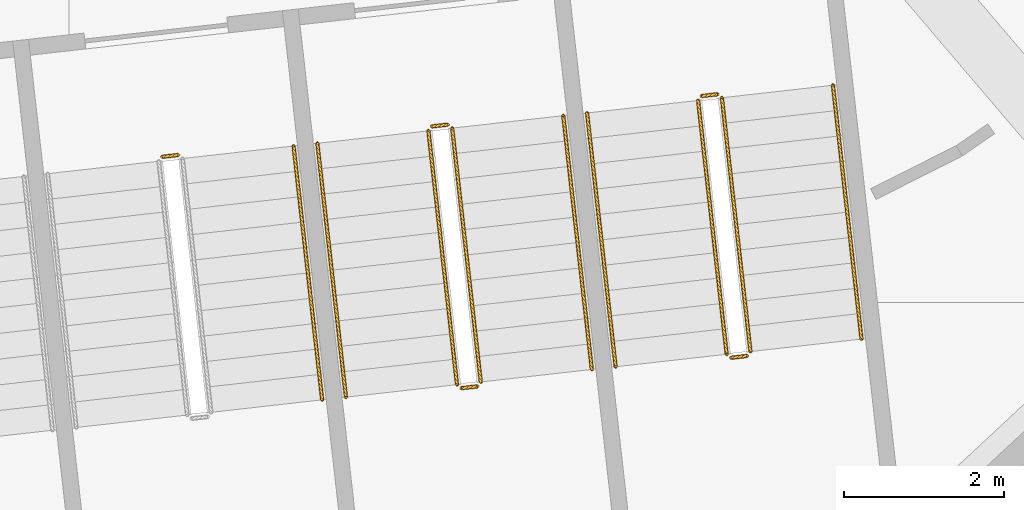
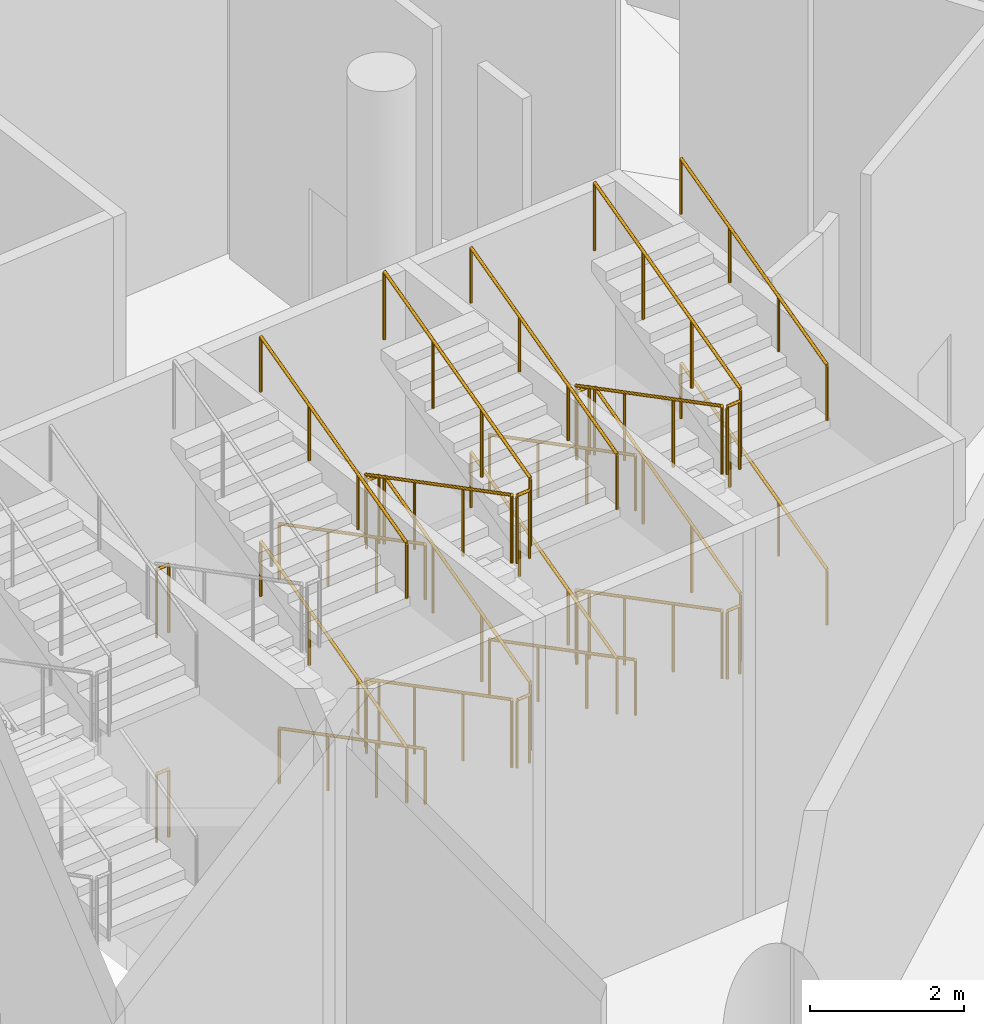
# One storey, part 206 of 255: 28 railings.
"""IFC4 building model written with IfcOpenShell, lengths in metres."""

from ifc_helpers import new_model, si_unit, direction, frame, origin, origin_2d, place, context, subcontext, project, spatial, circle, extrude, material, type_object, element, save


model = new_model("IFC4")

# Units and contexts
model_context = context("Model", 3, precision=1e-05, world=origin(), true_north=direction((0.0, 1.0)))
body_context = subcontext(model_context, "Body", "Model", "MODEL_VIEW")
ifc_project = project(units=[si_unit("LENGTHUNIT", "METRE"), si_unit("AREAUNIT", "SQUARE_METRE"), si_unit("VOLUMEUNIT", "CUBIC_METRE"), si_unit("PLANEANGLEUNIT", "RADIAN"), si_unit("MASSUNIT", "GRAM", prefix="KILO")], contexts=[model_context])

# Site, building, storey
site_placement = place(None, origin())
site = spatial("IfcSite", under=ifc_project, at=site_placement, CompositionType="ELEMENT")
building_placement = place(site_placement, origin())
building = spatial("IfcBuilding", under=site, at=building_placement, Name="Meseta Stadium", CompositionType="ELEMENT")
storey_placement = place(building_placement, origin())
storey = spatial("IfcBuildingStorey", under=building, at=storey_placement, Name="L00", CompositionType="ELEMENT", Elevation=0.0)

# Railings
ifc_material_1 = material(Name="Steel S355", Category="steel")
railing_type_1 = type_object("IfcRailingType", Name="Stair guard 1100", PredefinedType="GUARDRAIL", material=ifc_material_1)
for number, where, name in (
    (1, (49.165771484375, -94.17333984375, 3.25), "ST102 L00 guard 4"),
    (2, (49.165771484375, -94.17333984375, 0.0), "ST102 L00 guard 8"),
):
    element("IfcRailing", number, at=place(storey_placement, frame(where)), inside=storey, type_object=railing_type_1, Name=name, PredefinedType="GUARDRAIL", context=body_context, shape_type="SweptSolid", body=[
        extrude(circle(Radius=0.02392578125, at=origin_2d()), frame((0.0, 0.0, 1.076171875), z_axis=(0.993673547442, 0.112307083986, 0.0), x_axis=(-0.112307083986, 0.993673547442, 0.0)), (0.0, 0.0, 1.0), 0.199951171875),
        extrude(circle(Radius=0.02099609375, at=origin_2d()), origin(), (0.0, 0.0, 1.0), 1.052001953125),
        extrude(circle(Radius=0.02099609375, at=origin_2d()), frame((0.19873046875, 0.0224609375, 0.0)), (0.0, 0.0, 1.0), 1.052001953125),
    ])
railing_1_placement = place(storey_placement, frame((52.500244140625, -93.847900390625, 0.147705078125)))
element("IfcRailing", 3, at=railing_1_placement, inside=storey, type_object=railing_type_1, Name="ST103 L00 guard 1", PredefinedType="GUARDRAIL", context=body_context, shape_type="SweptSolid", body=[
    extrude(circle(Radius=0.02392578125, at=origin_2d()), frame((0.0, 0.0, 1.076171875), z_axis=(0.10168481418, -0.902210289302, 0.419138154362), x_axis=(0.993708517288, 0.111997244021, 0.0)), (0.0, 0.0, 1.0), 3.524658203125),
    extrude(circle(Radius=0.02099609375, at=origin_2d()), origin(), (0.0, 0.0, 1.0), 1.052001953125),
    extrude(circle(Radius=0.02099609375, at=origin_2d()), frame((0.119384765625, -1.06005859375, 0.492431640625)), (0.0, 0.0, 1.0), 1.052001953125),
    extrude(circle(Radius=0.02099609375, at=origin_2d()), frame((0.239013671875, -2.119873046875, 0.98486328125)), (0.0, 0.0, 1.0), 1.052001953125),
    extrude(circle(Radius=0.02099609375, at=origin_2d()), frame((0.3583984375, -3.179931640625, 1.477294921875)), (0.0, 0.0, 1.0), 1.052001953125),
])
railing_2_placement = place(storey_placement, frame((52.913818359375, -97.07177734375, 1.625)))
element("IfcRailing", 4, at=railing_2_placement, inside=storey, type_object=railing_type_1, Name="ST103 L00 guard 2", PredefinedType="GUARDRAIL", context=body_context, shape_type="SweptSolid", body=[
    extrude(circle(Radius=0.02392578125, at=origin_2d()), frame((0.0, 0.0, 1.076171875), z_axis=(0.993809063983, 0.111101504696, 0.0), x_axis=(-0.111101504696, 0.993809063983, 0.0)), (0.0, 0.0, 1.0), 0.199951171875),
    extrude(circle(Radius=0.02099609375, at=origin_2d()), origin(), (0.0, 0.0, 1.0), 1.052001953125),
    extrude(circle(Radius=0.02099609375, at=origin_2d()), frame((0.19873046875, 0.022216796875, 0.0)), (0.0, 0.0, 1.0), 1.052001953125),
])
railing_3_placement = place(storey_placement, frame((53.15673828125, -96.994140625, 1.772705078125)))
element("IfcRailing", 5, at=railing_3_placement, inside=storey, type_object=railing_type_1, Name="ST103 L00 guard 3", PredefinedType="GUARDRAIL", context=body_context, shape_type="SweptSolid", body=[
    extrude(circle(Radius=0.02392578125, at=origin_2d()), frame((0.0, 0.0, 1.076171875), z_axis=(-0.10168481418, 0.902210289302, 0.419138154362), x_axis=(-0.993708517288, -0.111997244021, 0.0)), (0.0, 0.0, 1.0), 3.524658203125),
    extrude(circle(Radius=0.02099609375, at=origin_2d()), origin(), (0.0, 0.0, 1.0), 1.052001953125),
    extrude(circle(Radius=0.02099609375, at=origin_2d()), frame((-0.119384765625, 1.06005859375, 0.492431640625)), (0.0, 0.0, 1.0), 1.052001953125),
    extrude(circle(Radius=0.02099609375, at=origin_2d()), frame((-0.239013671875, 2.119873046875, 0.98486328125)), (0.0, 0.0, 1.0), 1.052001953125),
    extrude(circle(Radius=0.02099609375, at=origin_2d()), frame((-0.3583984375, 3.179931640625, 1.477294921875)), (0.0, 0.0, 1.0), 1.052001953125),
])
railing_4_placement = place(storey_placement, frame((52.54443359375, -93.792724609375, 3.25)))
element("IfcRailing", 6, at=railing_4_placement, inside=storey, type_object=railing_type_1, Name="ST103 L00 guard 4", PredefinedType="GUARDRAIL", context=body_context, shape_type="SweptSolid", body=[
    extrude(circle(Radius=0.02392578125, at=origin_2d()), frame((0.0, 0.0, 1.076171875), z_axis=(0.993673547442, 0.112307083986, 0.0), x_axis=(-0.112307083986, 0.993673547442, 0.0)), (0.0, 0.0, 1.0), 0.199951171875),
    extrude(circle(Radius=0.02099609375, at=origin_2d()), origin(), (0.0, 0.0, 1.0), 1.052001953125),
    extrude(circle(Radius=0.02099609375, at=origin_2d()), frame((0.19873046875, 0.0224609375, 0.0)), (0.0, 0.0, 1.0), 1.052001953125),
])
railing_5_placement = place(storey_placement, frame((52.500244140625, -93.847900390625, 3.397705078125)))
element("IfcRailing", 7, at=railing_5_placement, inside=storey, type_object=railing_type_1, Name="ST103 L00 guard 5", PredefinedType="GUARDRAIL", context=body_context, shape_type="SweptSolid", body=[
    extrude(circle(Radius=0.02392578125, at=origin_2d()), frame((0.0, 0.0, 1.076171875), z_axis=(0.10168481418, -0.902210289302, 0.419138154362), x_axis=(0.993708517288, 0.111997244021, 0.0)), (0.0, 0.0, 1.0), 3.524658203125),
    extrude(circle(Radius=0.02099609375, at=origin_2d()), origin(), (0.0, 0.0, 1.0), 1.052001953125),
    extrude(circle(Radius=0.02099609375, at=origin_2d()), frame((0.119384765625, -1.06005859375, 0.492431640625)), (0.0, 0.0, 1.0), 1.052001953125),
    extrude(circle(Radius=0.02099609375, at=origin_2d()), frame((0.239013671875, -2.119873046875, 0.98486328125)), (0.0, 0.0, 1.0), 1.052001953125),
    extrude(circle(Radius=0.02099609375, at=origin_2d()), frame((0.3583984375, -3.179931640625, 1.477294921875)), (0.0, 0.0, 1.0), 1.052001953125),
])
railing_6_placement = place(storey_placement, frame((52.913818359375, -97.07177734375, 4.875)))
element("IfcRailing", 8, at=railing_6_placement, inside=storey, type_object=railing_type_1, Name="ST103 L00 guard 6", PredefinedType="GUARDRAIL", context=body_context, shape_type="SweptSolid", body=[
    extrude(circle(Radius=0.02392578125, at=origin_2d()), frame((0.0, 0.0, 1.076171875), z_axis=(0.993809063983, 0.111101504696, 0.0), x_axis=(-0.111101504696, 0.993809063983, 0.0)), (0.0, 0.0, 1.0), 0.199951171875),
    extrude(circle(Radius=0.02099609375, at=origin_2d()), origin(), (0.0, 0.0, 1.0), 1.052001953125),
    extrude(circle(Radius=0.02099609375, at=origin_2d()), frame((0.19873046875, 0.022216796875, 0.0)), (0.0, 0.0, 1.0), 1.052001953125),
])
railing_7_placement = place(storey_placement, frame((53.15673828125, -96.994140625, 5.022705078125)))
element("IfcRailing", 9, at=railing_7_placement, inside=storey, type_object=railing_type_1, Name="ST103 L00 guard 7", PredefinedType="GUARDRAIL", context=body_context, shape_type="SweptSolid", body=[
    extrude(circle(Radius=0.02392578125, at=origin_2d()), frame((0.0, 0.0, 1.076171875), z_axis=(-0.10168481418, 0.902210289302, 0.419138154362), x_axis=(-0.993708517288, -0.111997244021, 0.0)), (0.0, 0.0, 1.0), 3.524658203125),
    extrude(circle(Radius=0.02099609375, at=origin_2d()), origin(), (0.0, 0.0, 1.0), 1.052001953125),
    extrude(circle(Radius=0.02099609375, at=origin_2d()), frame((-0.119384765625, 1.06005859375, 0.492431640625)), (0.0, 0.0, 1.0), 1.052001953125),
    extrude(circle(Radius=0.02099609375, at=origin_2d()), frame((-0.239013671875, 2.119873046875, 0.98486328125)), (0.0, 0.0, 1.0), 1.052001953125),
    extrude(circle(Radius=0.02099609375, at=origin_2d()), frame((-0.3583984375, 3.179931640625, 1.477294921875)), (0.0, 0.0, 1.0), 1.052001953125),
])
railing_8_placement = place(storey_placement, frame((52.54443359375, -93.792724609375, 0.0)))
element("IfcRailing", 10, at=railing_8_placement, inside=storey, type_object=railing_type_1, Name="ST103 L00 guard 8", PredefinedType="GUARDRAIL", context=body_context, shape_type="SweptSolid", body=[
    extrude(circle(Radius=0.02392578125, at=origin_2d()), frame((0.0, 0.0, 1.076171875), z_axis=(0.993673547442, 0.112307083986, 0.0), x_axis=(-0.112307083986, 0.993673547442, 0.0)), (0.0, 0.0, 1.0), 0.199951171875),
    extrude(circle(Radius=0.02099609375, at=origin_2d()), origin(), (0.0, 0.0, 1.0), 1.052001953125),
    extrude(circle(Radius=0.02099609375, at=origin_2d()), frame((0.19873046875, 0.0224609375, 0.0)), (0.0, 0.0, 1.0), 1.052001953125),
])
railing_9_placement = place(storey_placement, frame((55.87890625, -93.46728515625, 0.147705078125)))
element("IfcRailing", 11, at=railing_9_placement, inside=storey, type_object=railing_type_1, Name="ST104 L00 guard 1", PredefinedType="GUARDRAIL", context=body_context, shape_type="SweptSolid", body=[
    extrude(circle(Radius=0.02392578125, at=origin_2d()), frame((0.0, 0.0, 1.076171875), z_axis=(0.10168481418, -0.902210289302, 0.419138154362), x_axis=(0.993708517288, 0.111997244021, 0.0)), (0.0, 0.0, 1.0), 3.524658203125),
    extrude(circle(Radius=0.02099609375, at=origin_2d()), origin(), (0.0, 0.0, 1.0), 1.052001953125),
    extrude(circle(Radius=0.02099609375, at=origin_2d()), frame((0.119384765625, -1.06005859375, 0.492431640625)), (0.0, 0.0, 1.0), 1.052001953125),
    extrude(circle(Radius=0.02099609375, at=origin_2d()), frame((0.239013671875, -2.119873046875, 0.98486328125)), (0.0, 0.0, 1.0), 1.052001953125),
    extrude(circle(Radius=0.02099609375, at=origin_2d()), frame((0.3583984375, -3.179931640625, 1.477294921875)), (0.0, 0.0, 1.0), 1.052001953125),
])
railing_10_placement = place(storey_placement, frame((56.29248046875, -96.691162109375, 1.625)))
element("IfcRailing", 12, at=railing_10_placement, inside=storey, type_object=railing_type_1, Name="ST104 L00 guard 2", PredefinedType="GUARDRAIL", context=body_context, shape_type="SweptSolid", body=[
    extrude(circle(Radius=0.02392578125, at=origin_2d()), frame((0.0, 0.0, 1.076171875), z_axis=(0.993673547442, 0.112307083986, 0.0), x_axis=(-0.112307083986, 0.993673547442, 0.0)), (0.0, 0.0, 1.0), 0.199951171875),
    extrude(circle(Radius=0.02099609375, at=origin_2d()), origin(), (0.0, 0.0, 1.0), 1.052001953125),
    extrude(circle(Radius=0.02099609375, at=origin_2d()), frame((0.19873046875, 0.0224609375, 0.0)), (0.0, 0.0, 1.0), 1.052001953125),
])
railing_11_placement = place(storey_placement, frame((56.535400390625, -96.613525390625, 1.772705078125)))
element("IfcRailing", 13, at=railing_11_placement, inside=storey, type_object=railing_type_1, Name="ST104 L00 guard 3", PredefinedType="GUARDRAIL", context=body_context, shape_type="SweptSolid", body=[
    extrude(circle(Radius=0.02392578125, at=origin_2d()), frame((0.0, 0.0, 1.076171875), z_axis=(-0.10168481418, 0.902210289302, 0.419138154362), x_axis=(-0.993708517288, -0.111997244021, 0.0)), (0.0, 0.0, 1.0), 3.524658203125),
    extrude(circle(Radius=0.02099609375, at=origin_2d()), origin(), (0.0, 0.0, 1.0), 1.052001953125),
    extrude(circle(Radius=0.02099609375, at=origin_2d()), frame((-0.119384765625, 1.06005859375, 0.492431640625)), (0.0, 0.0, 1.0), 1.052001953125),
    extrude(circle(Radius=0.02099609375, at=origin_2d()), frame((-0.239013671875, 2.119873046875, 0.98486328125)), (0.0, 0.0, 1.0), 1.052001953125),
    extrude(circle(Radius=0.02099609375, at=origin_2d()), frame((-0.3583984375, 3.179931640625, 1.477294921875)), (0.0, 0.0, 1.0), 1.052001953125),
])
railing_12_placement = place(storey_placement, frame((55.923095703125, -93.411865234375, 3.25)))
element("IfcRailing", 14, at=railing_12_placement, inside=storey, type_object=railing_type_1, Name="ST104 L00 guard 4", PredefinedType="GUARDRAIL", context=body_context, shape_type="SweptSolid", body=[
    extrude(circle(Radius=0.02392578125, at=origin_2d()), frame((0.0, 0.0, 1.076171875), z_axis=(0.993809063983, 0.111101504696, 0.0), x_axis=(-0.111101504696, 0.993809063983, 0.0)), (0.0, 0.0, 1.0), 0.199951171875),
    extrude(circle(Radius=0.02099609375, at=origin_2d()), origin(), (0.0, 0.0, 1.0), 1.052001953125),
    extrude(circle(Radius=0.02099609375, at=origin_2d()), frame((0.19873046875, 0.022216796875, 0.0)), (0.0, 0.0, 1.0), 1.052001953125),
])
railing_13_placement = place(storey_placement, frame((55.87890625, -93.46728515625, 3.397705078125)))
element("IfcRailing", 15, at=railing_13_placement, inside=storey, type_object=railing_type_1, Name="ST104 L00 guard 5", PredefinedType="GUARDRAIL", context=body_context, shape_type="SweptSolid", body=[
    extrude(circle(Radius=0.02392578125, at=origin_2d()), frame((0.0, 0.0, 1.076171875), z_axis=(0.10168481418, -0.902210289302, 0.419138154362), x_axis=(0.993708517288, 0.111997244021, 0.0)), (0.0, 0.0, 1.0), 3.524658203125),
    extrude(circle(Radius=0.02099609375, at=origin_2d()), origin(), (0.0, 0.0, 1.0), 1.052001953125),
    extrude(circle(Radius=0.02099609375, at=origin_2d()), frame((0.119384765625, -1.06005859375, 0.492431640625)), (0.0, 0.0, 1.0), 1.052001953125),
    extrude(circle(Radius=0.02099609375, at=origin_2d()), frame((0.239013671875, -2.119873046875, 0.98486328125)), (0.0, 0.0, 1.0), 1.052001953125),
    extrude(circle(Radius=0.02099609375, at=origin_2d()), frame((0.3583984375, -3.179931640625, 1.477294921875)), (0.0, 0.0, 1.0), 1.052001953125),
])
railing_14_placement = place(storey_placement, frame((56.29248046875, -96.691162109375, 4.875)))
element("IfcRailing", 16, at=railing_14_placement, inside=storey, type_object=railing_type_1, Name="ST104 L00 guard 6", PredefinedType="GUARDRAIL", context=body_context, shape_type="SweptSolid", body=[
    extrude(circle(Radius=0.02392578125, at=origin_2d()), frame((0.0, 0.0, 1.076171875), z_axis=(0.993673547442, 0.112307083986, 0.0), x_axis=(-0.112307083986, 0.993673547442, 0.0)), (0.0, 0.0, 1.0), 0.199951171875),
    extrude(circle(Radius=0.02099609375, at=origin_2d()), origin(), (0.0, 0.0, 1.0), 1.052001953125),
    extrude(circle(Radius=0.02099609375, at=origin_2d()), frame((0.19873046875, 0.0224609375, 0.0)), (0.0, 0.0, 1.0), 1.052001953125),
])
railing_15_placement = place(storey_placement, frame((56.535400390625, -96.613525390625, 5.022705078125)))
element("IfcRailing", 17, at=railing_15_placement, inside=storey, type_object=railing_type_1, Name="ST104 L00 guard 7", PredefinedType="GUARDRAIL", context=body_context, shape_type="SweptSolid", body=[
    extrude(circle(Radius=0.02392578125, at=origin_2d()), frame((0.0, 0.0, 1.076171875), z_axis=(-0.10168481418, 0.902210289302, 0.419138154362), x_axis=(-0.993708517288, -0.111997244021, 0.0)), (0.0, 0.0, 1.0), 3.524658203125),
    extrude(circle(Radius=0.02099609375, at=origin_2d()), origin(), (0.0, 0.0, 1.0), 1.052001953125),
    extrude(circle(Radius=0.02099609375, at=origin_2d()), frame((-0.119384765625, 1.06005859375, 0.492431640625)), (0.0, 0.0, 1.0), 1.052001953125),
    extrude(circle(Radius=0.02099609375, at=origin_2d()), frame((-0.239013671875, 2.119873046875, 0.98486328125)), (0.0, 0.0, 1.0), 1.052001953125),
    extrude(circle(Radius=0.02099609375, at=origin_2d()), frame((-0.3583984375, 3.179931640625, 1.477294921875)), (0.0, 0.0, 1.0), 1.052001953125),
])
railing_16_placement = place(storey_placement, frame((55.923095703125, -93.411865234375, 0.0)))
element("IfcRailing", 18, at=railing_16_placement, inside=storey, type_object=railing_type_1, Name="ST104 L00 guard 8", PredefinedType="GUARDRAIL", context=body_context, shape_type="SweptSolid", body=[
    extrude(circle(Radius=0.02392578125, at=origin_2d()), frame((0.0, 0.0, 1.076171875), z_axis=(0.993809063983, 0.111101504696, 0.0), x_axis=(-0.111101504696, 0.993809063983, 0.0)), (0.0, 0.0, 1.0), 0.199951171875),
    extrude(circle(Radius=0.02099609375, at=origin_2d()), origin(), (0.0, 0.0, 1.0), 1.052001953125),
    extrude(circle(Radius=0.02099609375, at=origin_2d()), frame((0.19873046875, 0.022216796875, 0.0)), (0.0, 0.0, 1.0), 1.052001953125),
])
ifc_material_2 = material(Name="Steel S355", Category="steel")
railing_type_2 = type_object("IfcRailingType", Name="Stair handrail 900", PredefinedType="HANDRAIL", material=ifc_material_2)
for number, where, name in (
    (19, (51.169189453125, -97.218017578125, 1.772705078125), "ST102 L00 handrail 2"),
    (20, (51.169189453125, -97.218017578125, 5.022705078125), "ST102 L00 handrail 4"),
):
    element("IfcRailing", number, at=place(storey_placement, frame(where)), inside=storey, type_object=railing_type_2, Name=name, PredefinedType="HANDRAIL", context=body_context, shape_type="SweptSolid", body=[
        extrude(circle(Radius=0.02392578125, at=origin_2d()), frame((0.0, 0.0, 0.8759765625), z_axis=(-0.101622612925, 0.902203756464, 0.419167301164), x_axis=(-0.993716049491, -0.111930393474, 0.0)), (0.0, 0.0, 1.0), 3.5244140625),
        extrude(circle(Radius=0.02099609375, at=origin_2d()), origin(), (0.0, 0.0, 1.0), 0.851806640625),
        extrude(circle(Radius=0.02099609375, at=origin_2d()), frame((-0.119384765625, 1.059814453125, 0.492431640625)), (0.0, 0.0, 1.0), 0.851806640625),
        extrude(circle(Radius=0.02099609375, at=origin_2d()), frame((-0.23876953125, 2.119873046875, 0.98486328125)), (0.0, 0.0, 1.0), 0.851806640625),
        extrude(circle(Radius=0.02099609375, at=origin_2d()), frame((-0.358154296875, 3.1796875, 1.477294921875)), (0.0, 0.0, 1.0), 0.851806640625),
    ])
railing_17_placement = place(storey_placement, frame((51.109130859375, -94.004638671875, 0.147705078125)))
element("IfcRailing", 21, at=railing_17_placement, inside=storey, type_object=railing_type_2, Name="ST103 L00 handrail 1", PredefinedType="HANDRAIL", context=body_context, shape_type="SweptSolid", body=[
    extrude(circle(Radius=0.02392578125, at=origin_2d()), frame((0.0, 0.0, 0.8759765625), z_axis=(0.101616262084, -0.902216641888, 0.419141105571), x_axis=(0.993717005286, 0.11192190762, 0.0)), (0.0, 0.0, 1.0), 3.524658203125),
    extrude(circle(Radius=0.02099609375, at=origin_2d()), origin(), (0.0, 0.0, 1.0), 0.851806640625),
    extrude(circle(Radius=0.02099609375, at=origin_2d()), frame((0.119384765625, -1.06005859375, 0.492431640625)), (0.0, 0.0, 1.0), 0.851806640625),
    extrude(circle(Radius=0.02099609375, at=origin_2d()), frame((0.23876953125, -2.119873046875, 0.98486328125)), (0.0, 0.0, 1.0), 0.851806640625),
    extrude(circle(Radius=0.02099609375, at=origin_2d()), frame((0.358154296875, -3.179931640625, 1.477294921875)), (0.0, 0.0, 1.0), 0.851806640625),
])
railing_18_placement = place(storey_placement, frame((54.5478515625, -96.83740234375, 1.772705078125)))
element("IfcRailing", 22, at=railing_18_placement, inside=storey, type_object=railing_type_2, Name="ST103 L00 handrail 2", PredefinedType="HANDRAIL", context=body_context, shape_type="SweptSolid", body=[
    extrude(circle(Radius=0.02392578125, at=origin_2d()), frame((0.0, 0.0, 0.8759765625), z_axis=(-0.101616262084, 0.902216641888, 0.419141105571), x_axis=(-0.993717005286, -0.11192190762, 0.0)), (0.0, 0.0, 1.0), 3.524658203125),
    extrude(circle(Radius=0.02099609375, at=origin_2d()), origin(), (0.0, 0.0, 1.0), 0.851806640625),
    extrude(circle(Radius=0.02099609375, at=origin_2d()), frame((-0.119384765625, 1.06005859375, 0.492431640625)), (0.0, 0.0, 1.0), 0.851806640625),
    extrude(circle(Radius=0.02099609375, at=origin_2d()), frame((-0.23876953125, 2.119873046875, 0.98486328125)), (0.0, 0.0, 1.0), 0.851806640625),
    extrude(circle(Radius=0.02099609375, at=origin_2d()), frame((-0.358154296875, 3.179931640625, 1.477294921875)), (0.0, 0.0, 1.0), 0.851806640625),
])
railing_19_placement = place(storey_placement, frame((51.109130859375, -94.004638671875, 3.397705078125)))
element("IfcRailing", 23, at=railing_19_placement, inside=storey, type_object=railing_type_2, Name="ST103 L00 handrail 3", PredefinedType="HANDRAIL", context=body_context, shape_type="SweptSolid", body=[
    extrude(circle(Radius=0.02392578125, at=origin_2d()), frame((0.0, 0.0, 0.8759765625), z_axis=(0.101616262084, -0.902216641888, 0.419141105571), x_axis=(0.993717005286, 0.11192190762, 0.0)), (0.0, 0.0, 1.0), 3.524658203125),
    extrude(circle(Radius=0.02099609375, at=origin_2d()), origin(), (0.0, 0.0, 1.0), 0.851806640625),
    extrude(circle(Radius=0.02099609375, at=origin_2d()), frame((0.119384765625, -1.06005859375, 0.492431640625)), (0.0, 0.0, 1.0), 0.851806640625),
    extrude(circle(Radius=0.02099609375, at=origin_2d()), frame((0.23876953125, -2.119873046875, 0.98486328125)), (0.0, 0.0, 1.0), 0.851806640625),
    extrude(circle(Radius=0.02099609375, at=origin_2d()), frame((0.358154296875, -3.179931640625, 1.477294921875)), (0.0, 0.0, 1.0), 0.851806640625),
])
railing_20_placement = place(storey_placement, frame((54.5478515625, -96.83740234375, 5.022705078125)))
element("IfcRailing", 24, at=railing_20_placement, inside=storey, type_object=railing_type_2, Name="ST103 L00 handrail 4", PredefinedType="HANDRAIL", context=body_context, shape_type="SweptSolid", body=[
    extrude(circle(Radius=0.02392578125, at=origin_2d()), frame((0.0, 0.0, 0.8759765625), z_axis=(-0.101616262084, 0.902216641888, 0.419141105571), x_axis=(-0.993717005286, -0.11192190762, 0.0)), (0.0, 0.0, 1.0), 3.524658203125),
    extrude(circle(Radius=0.02099609375, at=origin_2d()), origin(), (0.0, 0.0, 1.0), 0.851806640625),
    extrude(circle(Radius=0.02099609375, at=origin_2d()), frame((-0.119384765625, 1.06005859375, 0.492431640625)), (0.0, 0.0, 1.0), 0.851806640625),
    extrude(circle(Radius=0.02099609375, at=origin_2d()), frame((-0.23876953125, 2.119873046875, 0.98486328125)), (0.0, 0.0, 1.0), 0.851806640625),
    extrude(circle(Radius=0.02099609375, at=origin_2d()), frame((-0.358154296875, 3.179931640625, 1.477294921875)), (0.0, 0.0, 1.0), 0.851806640625),
])
railing_21_placement = place(storey_placement, frame((54.48779296875, -93.6240234375, 0.147705078125)))
element("IfcRailing", 25, at=railing_21_placement, inside=storey, type_object=railing_type_2, Name="ST104 L00 handrail 1", PredefinedType="HANDRAIL", context=body_context, shape_type="SweptSolid", body=[
    extrude(circle(Radius=0.02392578125, at=origin_2d()), frame((0.0, 0.0, 0.8759765625), z_axis=(0.101616262084, -0.902216641888, 0.419141105571), x_axis=(0.993717005286, 0.11192190762, 0.0)), (0.0, 0.0, 1.0), 3.524658203125),
    extrude(circle(Radius=0.02099609375, at=origin_2d()), origin(), (0.0, 0.0, 1.0), 0.851806640625),
    extrude(circle(Radius=0.02099609375, at=origin_2d()), frame((0.119384765625, -1.06005859375, 0.492431640625)), (0.0, 0.0, 1.0), 0.851806640625),
    extrude(circle(Radius=0.02099609375, at=origin_2d()), frame((0.23876953125, -2.119873046875, 0.98486328125)), (0.0, 0.0, 1.0), 0.851806640625),
    extrude(circle(Radius=0.02099609375, at=origin_2d()), frame((0.358154296875, -3.179931640625, 1.477294921875)), (0.0, 0.0, 1.0), 0.851806640625),
])
railing_22_placement = place(storey_placement, frame((57.926513671875, -96.456787109375, 1.772705078125)))
element("IfcRailing", 26, at=railing_22_placement, inside=storey, type_object=railing_type_2, Name="ST104 L00 handrail 2", PredefinedType="HANDRAIL", context=body_context, shape_type="SweptSolid", body=[
    extrude(circle(Radius=0.02392578125, at=origin_2d()), frame((0.0, 0.0, 0.8759765625), z_axis=(-0.10168481418, 0.902210289302, 0.419138154362), x_axis=(-0.993708517288, -0.111997244021, 0.0)), (0.0, 0.0, 1.0), 3.524658203125),
    extrude(circle(Radius=0.02099609375, at=origin_2d()), origin(), (0.0, 0.0, 1.0), 0.851806640625),
    extrude(circle(Radius=0.02099609375, at=origin_2d()), frame((-0.119384765625, 1.06005859375, 0.492431640625)), (0.0, 0.0, 1.0), 0.851806640625),
    extrude(circle(Radius=0.02099609375, at=origin_2d()), frame((-0.239013671875, 2.119873046875, 0.98486328125)), (0.0, 0.0, 1.0), 0.851806640625),
    extrude(circle(Radius=0.02099609375, at=origin_2d()), frame((-0.3583984375, 3.179931640625, 1.477294921875)), (0.0, 0.0, 1.0), 0.851806640625),
])
railing_23_placement = place(storey_placement, frame((54.48779296875, -93.6240234375, 3.397705078125)))
element("IfcRailing", 27, at=railing_23_placement, inside=storey, type_object=railing_type_2, Name="ST104 L00 handrail 3", PredefinedType="HANDRAIL", context=body_context, shape_type="SweptSolid", body=[
    extrude(circle(Radius=0.02392578125, at=origin_2d()), frame((0.0, 0.0, 0.8759765625), z_axis=(0.101616262084, -0.902216641888, 0.419141105571), x_axis=(0.993717005286, 0.11192190762, 0.0)), (0.0, 0.0, 1.0), 3.524658203125),
    extrude(circle(Radius=0.02099609375, at=origin_2d()), origin(), (0.0, 0.0, 1.0), 0.851806640625),
    extrude(circle(Radius=0.02099609375, at=origin_2d()), frame((0.119384765625, -1.06005859375, 0.492431640625)), (0.0, 0.0, 1.0), 0.851806640625),
    extrude(circle(Radius=0.02099609375, at=origin_2d()), frame((0.23876953125, -2.119873046875, 0.98486328125)), (0.0, 0.0, 1.0), 0.851806640625),
    extrude(circle(Radius=0.02099609375, at=origin_2d()), frame((0.358154296875, -3.179931640625, 1.477294921875)), (0.0, 0.0, 1.0), 0.851806640625),
])
railing_24_placement = place(storey_placement, frame((57.926513671875, -96.456787109375, 5.022705078125)))
element("IfcRailing", 28, at=railing_24_placement, inside=storey, type_object=railing_type_2, Name="ST104 L00 handrail 4", PredefinedType="HANDRAIL", context=body_context, shape_type="SweptSolid", body=[
    extrude(circle(Radius=0.02392578125, at=origin_2d()), frame((0.0, 0.0, 0.8759765625), z_axis=(-0.10168481418, 0.902210289302, 0.419138154362), x_axis=(-0.993708517288, -0.111997244021, 0.0)), (0.0, 0.0, 1.0), 3.524658203125),
    extrude(circle(Radius=0.02099609375, at=origin_2d()), origin(), (0.0, 0.0, 1.0), 0.851806640625),
    extrude(circle(Radius=0.02099609375, at=origin_2d()), frame((-0.119384765625, 1.06005859375, 0.492431640625)), (0.0, 0.0, 1.0), 0.851806640625),
    extrude(circle(Radius=0.02099609375, at=origin_2d()), frame((-0.239013671875, 2.119873046875, 0.98486328125)), (0.0, 0.0, 1.0), 0.851806640625),
    extrude(circle(Radius=0.02099609375, at=origin_2d()), frame((-0.3583984375, 3.179931640625, 1.477294921875)), (0.0, 0.0, 1.0), 0.851806640625),
])

save(model, "model.ifc")
